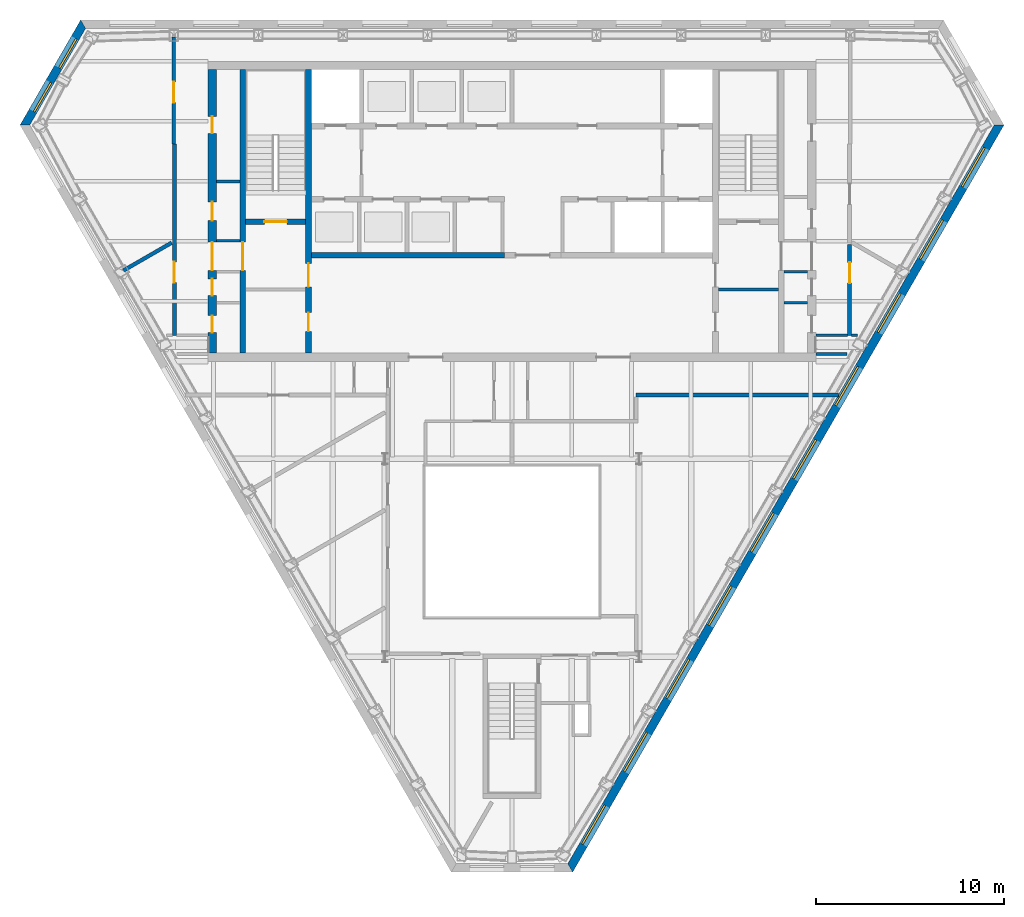
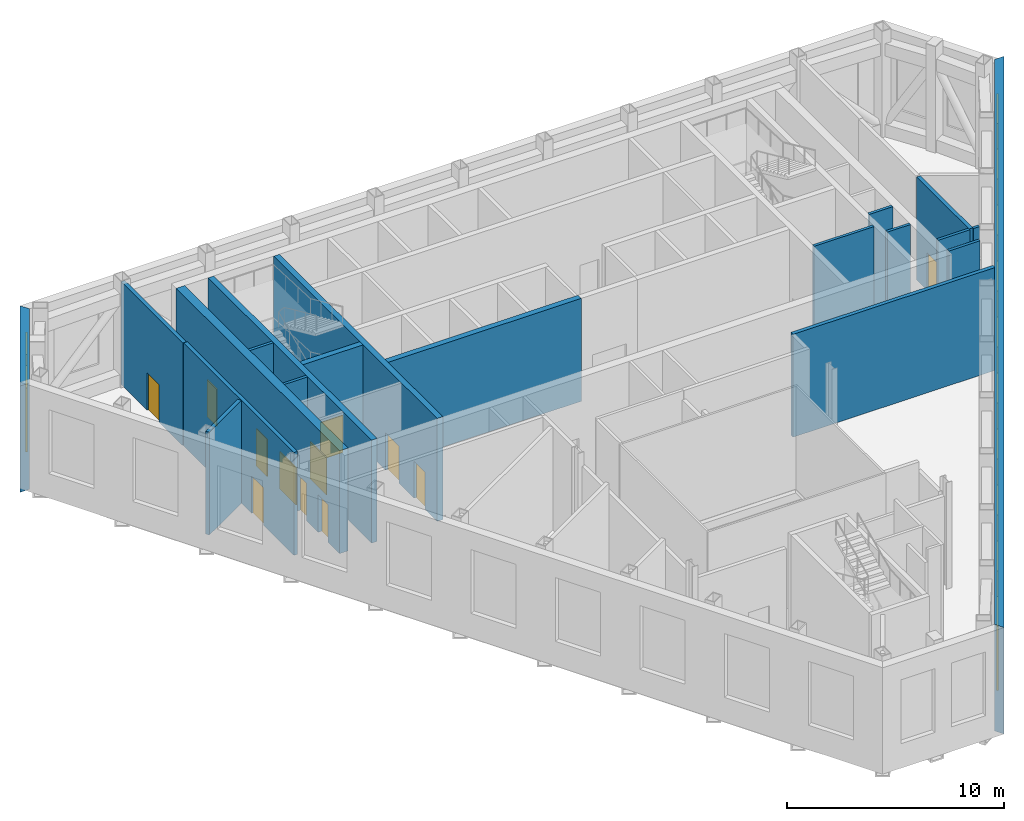
# One storey, part 8 of 14: 20 walls, 12 doors, 12 shading devices, 24 openings.
"""IFC4 building model written with IfcOpenShell, lengths in metres."""

from ifc_helpers import new_model, si_unit, direction, frame, frame_2d, origin, place, context, subcontext, project, spatial, polyline, rectangle, outline, extrude, material, layer, layer_set, type_object, element, fill, save


model = new_model("IFC4")

# Units and contexts
model_context = context("Model", 3, precision=1e-05, world=origin(), true_north=direction((0.0, 1.0)))
body_context = subcontext(model_context, "Body", "Model", "MODEL_VIEW")
ifc_project = project(units=[si_unit("LENGTHUNIT", "METRE"), si_unit("AREAUNIT", "SQUARE_METRE"), si_unit("VOLUMEUNIT", "CUBIC_METRE"), si_unit("PLANEANGLEUNIT", "RADIAN"), si_unit("MASSUNIT", "GRAM", prefix="KILO")], contexts=[model_context])

# Site, building, storey
site_placement = place(None, origin())
site = spatial("IfcSite", under=ifc_project, at=site_placement, CompositionType="ELEMENT")
building_placement = place(site_placement, origin())
building = spatial("IfcBuilding", under=site, at=building_placement, Name="Njiva Tower", CompositionType="ELEMENT")
storey_placement = place(building_placement, frame((0.0, 0.0, 239.4)))
storey = spatial("IfcBuildingStorey", under=building, at=storey_placement, Name="L54", CompositionType="ELEMENT", Elevation=239.4)

# Walls
ifc_material_1 = material(Name="Blockwork", Category="masonry")
ifc_layer_1 = layer(ifc_material_1, 0.15)
ifc_layer_set_1 = layer_set([ifc_layer_1], Name="Blockwork")
wall_type_1 = type_object("IfcWallType", Name="WT1 Compartment partition 150", PredefinedType="PARTITIONING", material=ifc_layer_set_1)
wall_1_placement = place(storey_placement, frame((11.0, 5.825, 0.0), z_axis=(0.0, 0.0, 1.0), x_axis=(1.0, 0.0, 0.0)))
element("IfcWall", 1, at=wall_1_placement, inside=storey, type_object=wall_type_1, Name="Room wall B", PredefinedType="PARTITIONING", context=body_context, shape_type="SweptSolid", body=[
    extrude(rectangle(XDim=3.2, YDim=0.15, at=frame_2d((1.6, 0.0))), origin(), (0.0, 0.0, 1.0), 5.8),
])
wall_2_placement = place(storey_placement, frame((-15.75, 11.5856, 0.0), z_axis=(0.0, 0.0, 1.0), x_axis=(1.0, 0.0, 0.0)))
element("IfcWall", 2, at=wall_2_placement, inside=storey, type_object=wall_type_1, Name="Partition strip W10", PredefinedType="PARTITIONING", context=body_context, shape_type="SweptSolid", body=[
    extrude(rectangle(XDim=1.25, YDim=0.15, at=frame_2d((0.625, 0.0))), origin(), (0.0, 0.0, 1.0), 5.8),
])

# Wall, openings, doors
ifc_material_2 = material(Name="Concrete C40/50", Category="concrete")
ifc_layer_2 = layer(ifc_material_2, 0.3)
ifc_layer_set_2 = layer_set([ifc_layer_2], Name="Concrete C40/50")
wall_type_2 = type_object("IfcWallType", Name="WT10 Stair enclosure wall 300", PredefinedType="SHEAR", material=ifc_layer_set_2)
wall_3_placement = place(storey_placement, frame((-10.85, 2.45, 0.0), z_axis=(0.0, 0.0, 1.0), x_axis=(0.0, 1.0, 0.0)))
wall_3 = element("IfcWall", 3, at=wall_3_placement, inside=storey, type_object=wall_type_2, Name="Stair wall west inner", PredefinedType="SHEAR", context=body_context, shape_type="SweptSolid", body=[
    extrude(rectangle(XDim=15.1, YDim=0.3, at=frame_2d((7.55, 0.0))), origin(), (0.0, 0.0, 1.0), 5.8),
])
opening_1_placement = place(wall_3_placement, frame((3.525, 0.0, 0.0)))
opening_1 = element("IfcOpeningElement", 4, at=opening_1_placement, cuts=wall_3, Name="Opening T4-D916", PredefinedType="OPENING", context=body_context, shape_type="SweptSolid", body=[
    extrude(rectangle(XDim=1.25, YDim=2.1, at=frame_2d((0.625, 1.05))), frame((0.0, 0.16, 0.0), z_axis=(0.0, -1.0, 0.0), x_axis=(1.0, 0.0, 0.0)), (0.0, 0.0, 1.0), 0.32),
])
opening_2_placement = place(wall_3_placement, frame((1.15, 0.0, 0.0)))
opening_2 = element("IfcOpeningElement", 5, at=opening_2_placement, cuts=wall_3, Name="Opening T4-D917", PredefinedType="OPENING", context=body_context, shape_type="SweptSolid", body=[
    extrude(rectangle(XDim=1.0, YDim=2.1, at=frame_2d((0.5, 1.05))), frame((0.0, 0.16, 0.0), z_axis=(0.0, -1.0, 0.0), x_axis=(1.0, 0.0, 0.0)), (0.0, 0.0, 1.0), 0.32),
])
ifc_material_3 = material(Name="Steel door, painted", Category="steel")
door_type_1 = type_object("IfcDoorType", Name="D5 Steel door 1000x2100", OperationType="SINGLE_SWING_LEFT", PredefinedType="DOOR", material=ifc_material_3)
door_1_placement = place(opening_2_placement, origin())
door_1 = element("IfcDoor", 6, at=door_1_placement, inside=storey, type_object=door_type_1, Name="Plant room door", OperationType="SINGLE_SWING_RIGHT", OverallHeight=2.1, OverallWidth=1.0, PredefinedType="DOOR", context=body_context, shape_type="SweptSolid", body=[
    extrude(rectangle(XDim=1.0, YDim=2.1, at=frame_2d((0.5, 1.05))), frame((0.0, 0.025, 0.0), z_axis=(0.0, -1.0, 0.0), x_axis=(1.0, 0.0, 0.0)), (0.0, 0.0, 1.0), 0.05),
])
fill(opening_2, door_1)
ifc_material_4 = material(Name="Glazed steel fire door", Category="steel")
door_type_2 = type_object("IfcDoorType", Name="D8 Vestibule corridor door 1250x2100 glazed", OperationType="SINGLE_SWING_LEFT", PredefinedType="DOOR", material=ifc_material_4)
door_2_placement = place(opening_1_placement, origin())
door_2 = element("IfcDoor", 7, at=door_2_placement, inside=storey, type_object=door_type_2, Name="Stair vestibule corridor door", OperationType="SINGLE_SWING_LEFT", OverallHeight=2.1, OverallWidth=1.25, PredefinedType="DOOR", context=body_context, shape_type="SweptSolid", body=[
    extrude(rectangle(XDim=1.25, YDim=2.1, at=frame_2d((0.625, 1.05))), frame((0.0, 0.025, 0.0), z_axis=(0.0, -1.0, 0.0), x_axis=(1.0, 0.0, 0.0)), (0.0, 0.0, 1.0), 0.05),
])
fill(opening_1, door_2)

# Wall, opening, door
wall_4_placement = place(storey_placement, frame((-14.35, 2.45, 0.0), z_axis=(0.0, 0.0, 1.0), x_axis=(0.0, 1.0, 0.0)))
wall_4 = element("IfcWall", 8, at=wall_4_placement, inside=storey, type_object=wall_type_2, Name="Stair wall west outer", PredefinedType="SHEAR", context=body_context, shape_type="SweptSolid", body=[
    extrude(rectangle(XDim=15.1, YDim=0.3, at=frame_2d((7.55, 0.0))), origin(), (0.0, 0.0, 1.0), 5.8),
])
opening_3_placement = place(wall_4_placement, frame((4.4, 0.0, 0.0)))
opening_3 = element("IfcOpeningElement", 9, at=opening_3_placement, cuts=wall_4, Name="Opening T4-D922", PredefinedType="OPENING", context=body_context, shape_type="SweptSolid", body=[
    extrude(rectangle(XDim=1.5, YDim=2.1, at=frame_2d((0.75, 1.05))), frame((0.0, 0.16, 0.0), z_axis=(0.0, -1.0, 0.0), x_axis=(1.0, 0.0, 0.0)), (0.0, 0.0, 1.0), 0.32),
])
door_type_3 = type_object("IfcDoorType", Name="D10 Exit door double 1500x2100 glazed", OperationType="DOUBLE_DOOR_SINGLE_SWING", PredefinedType="DOOR", material=ifc_material_4)
door_3_placement = place(opening_3_placement, origin())
door_3 = element("IfcDoor", 10, at=door_3_placement, inside=storey, type_object=door_type_3, Name="Stair A passage door", OperationType="DOUBLE_DOOR_SINGLE_SWING", OverallHeight=2.1, OverallWidth=1.5, PredefinedType="DOOR", context=body_context, shape_type="SweptSolid", body=[
    extrude(rectangle(XDim=1.5, YDim=2.1, at=frame_2d((0.75, 1.05))), frame((0.0, 0.025, 0.0), z_axis=(0.0, -1.0, 0.0), x_axis=(1.0, 0.0, 0.0)), (0.0, 0.0, 1.0), 0.05),
])
fill(opening_3, door_3)

wall_5_placement = place(storey_placement, frame((-14.2, 9.45, 0.0), z_axis=(0.0, 0.0, 1.0), x_axis=(1.0, 0.0, 0.0)))
wall_5 = element("IfcWall", 11, at=wall_5_placement, inside=storey, type_object=wall_type_2, Name="Stair A south wall", PredefinedType="SHEAR", context=body_context, shape_type="SweptSolid", body=[
    extrude(rectangle(XDim=3.2, YDim=0.3, at=frame_2d((1.6, 0.0))), origin(), (0.0, 0.0, 1.0), 5.8),
])
opening_4_placement = place(wall_5_placement, frame((1.0, 0.0, 0.0)))
opening_4 = element("IfcOpeningElement", 12, at=opening_4_placement, cuts=wall_5, Name="Opening T4-D915", PredefinedType="OPENING", context=body_context, shape_type="SweptSolid", body=[
    extrude(rectangle(XDim=1.2, YDim=2.1, at=frame_2d((0.6, 1.05))), frame((0.0, 0.16, 0.0), z_axis=(0.0, -1.0, 0.0), x_axis=(1.0, 0.0, 0.0)), (0.0, 0.0, 1.0), 0.32),
])
door_type_4 = type_object("IfcDoorType", Name="D7 Stair vestibule door 1200x2100 glazed", OperationType="SINGLE_SWING_LEFT", PredefinedType="DOOR", material=ifc_material_4)
door_4_placement = place(opening_4_placement, origin())
door_4 = element("IfcDoor", 13, at=door_4_placement, inside=storey, type_object=door_type_4, Name="Stair A door", OperationType="SINGLE_SWING_LEFT", OverallHeight=2.1, OverallWidth=1.2, PredefinedType="DOOR", context=body_context, shape_type="SweptSolid", body=[
    extrude(rectangle(XDim=1.2, YDim=2.1, at=frame_2d((0.6, 1.05))), frame((0.0, 0.025, 0.0), z_axis=(0.0, -1.0, 0.0), x_axis=(1.0, 0.0, 0.0)), (0.0, 0.0, 1.0), 0.05),
])
fill(opening_4, door_4)

# Wall, openings, doors
ifc_material_5 = material(Name="Concrete C60/75", Category="concrete")
ifc_layer_3 = layer(ifc_material_5, 0.45)
ifc_layer_set_3 = layer_set([ifc_layer_3], Name="Concrete C60/75")
wall_type_3 = type_object("IfcWallType", Name="WT12 Core wall 450", PredefinedType="SHEAR", material=ifc_layer_set_3)
wall_6_placement = place(storey_placement, frame((-15.975, 2.45, 0.0), z_axis=(0.0, 0.0, 1.0), x_axis=(0.0, 1.0, 0.0)))
wall_6 = element("IfcWall", 14, at=wall_6_placement, inside=storey, type_object=wall_type_3, Name="Core wall west", PredefinedType="SHEAR", context=body_context, shape_type="SweptSolid", body=[
    extrude(rectangle(XDim=15.1, YDim=0.45, at=frame_2d((7.55, 0.0))), origin(), (0.0, 0.0, 1.0), 5.8),
])
opening_5_placement = place(wall_6_placement, frame((4.4, 0.0, 0.0)))
opening_5 = element("IfcOpeningElement", 15, at=opening_5_placement, cuts=wall_6, Name="Opening T4-D923", PredefinedType="OPENING", context=body_context, shape_type="SweptSolid", body=[
    extrude(rectangle(XDim=1.5, YDim=2.1, at=frame_2d((0.75, 1.05))), frame((0.0, 0.235, 0.0), z_axis=(0.0, -1.0, 0.0), x_axis=(1.0, 0.0, 0.0)), (0.0, 0.0, 1.0), 0.47),
])
opening_6_placement = place(wall_6_placement, frame((1.0857, 0.0, 0.0)))
opening_6 = element("IfcOpeningElement", 16, at=opening_6_placement, cuts=wall_6, Name="Opening T4-D924", PredefinedType="OPENING", context=body_context, shape_type="SweptSolid", body=[
    extrude(rectangle(XDim=0.9, YDim=2.1, at=frame_2d((0.45, 1.05))), frame((0.0, 0.235, 0.0), z_axis=(0.0, -1.0, 0.0), x_axis=(1.0, 0.0, 0.0)), (0.0, 0.0, 1.0), 0.47),
])
opening_7_placement = place(wall_6_placement, frame((3.05, 0.0, 0.0)))
opening_7 = element("IfcOpeningElement", 17, at=opening_7_placement, cuts=wall_6, Name="Opening T4-D925", PredefinedType="OPENING", context=body_context, shape_type="SweptSolid", body=[
    extrude(rectangle(XDim=0.9, YDim=2.1, at=frame_2d((0.45, 1.05))), frame((0.0, 0.235, 0.0), z_axis=(0.0, -1.0, 0.0), x_axis=(1.0, 0.0, 0.0)), (0.0, 0.0, 1.0), 0.47),
])
opening_8_placement = place(wall_6_placement, frame((7.0553, 0.0, 0.0)))
opening_8 = element("IfcOpeningElement", 18, at=opening_8_placement, cuts=wall_6, Name="Opening T4-D926", PredefinedType="OPENING", context=body_context, shape_type="SweptSolid", body=[
    extrude(rectangle(XDim=1.0, YDim=2.1, at=frame_2d((0.5, 1.05))), frame((0.0, 0.235, 0.0), z_axis=(0.0, -1.0, 0.0), x_axis=(1.0, 0.0, 0.0)), (0.0, 0.0, 1.0), 0.47),
])
opening_9_placement = place(wall_6_placement, frame((11.7053, 0.0, 0.0)))
opening_9 = element("IfcOpeningElement", 19, at=opening_9_placement, cuts=wall_6, Name="Opening T4-D927", PredefinedType="OPENING", context=body_context, shape_type="SweptSolid", body=[
    extrude(rectangle(XDim=0.9, YDim=2.1, at=frame_2d((0.45, 1.05))), frame((0.0, 0.235, 0.0), z_axis=(0.0, -1.0, 0.0), x_axis=(1.0, 0.0, 0.0)), (0.0, 0.0, 1.0), 0.47),
])
door_5_placement = place(opening_5_placement, origin())
door_5 = element("IfcDoor", 20, at=door_5_placement, inside=storey, type_object=door_type_3, Name="Stair A corridor door", OperationType="DOUBLE_DOOR_SINGLE_SWING", OverallHeight=2.1, OverallWidth=1.5, PredefinedType="DOOR", context=body_context, shape_type="SweptSolid", body=[
    extrude(rectangle(XDim=1.5, YDim=2.1, at=frame_2d((0.75, 1.05))), frame((0.0, 0.025, 0.0), z_axis=(0.0, -1.0, 0.0), x_axis=(1.0, 0.0, 0.0)), (0.0, 0.0, 1.0), 0.05),
])
fill(opening_5, door_5)
door_type_5 = type_object("IfcDoorType", Name="D4 Riser door 900x2100", OperationType="SINGLE_SWING_LEFT", PredefinedType="DOOR", material=ifc_material_3)
door_6_placement = place(opening_7_placement, origin())
door_6 = element("IfcDoor", 21, at=door_6_placement, inside=storey, type_object=door_type_5, Name="Mechanical riser door", OperationType="SINGLE_SWING_RIGHT", OverallHeight=2.1, OverallWidth=0.9, PredefinedType="DOOR", context=body_context, shape_type="SweptSolid", body=[
    extrude(rectangle(XDim=0.9, YDim=2.1, at=frame_2d((0.45, 1.05))), frame((0.0, 0.025, 0.0), z_axis=(0.0, -1.0, 0.0), x_axis=(1.0, 0.0, 0.0)), (0.0, 0.0, 1.0), 0.05),
])
fill(opening_7, door_6)
door_7_placement = place(opening_8_placement, origin())
door_7 = element("IfcDoor", 22, at=door_7_placement, inside=storey, type_object=door_type_1, Name="Electrical plant room door", OperationType="SINGLE_SWING_LEFT", OverallHeight=2.1, OverallWidth=1.0, PredefinedType="DOOR", context=body_context, shape_type="SweptSolid", body=[
    extrude(rectangle(XDim=1.0, YDim=2.1, at=frame_2d((0.5, 1.05))), frame((0.0, 0.025, 0.0), z_axis=(0.0, -1.0, 0.0), x_axis=(1.0, 0.0, 0.0)), (0.0, 0.0, 1.0), 0.05),
])
fill(opening_8, door_7)
ifc_material_6 = material(Name="Steel fire door, painted", Category="steel")
door_type_6 = type_object("IfcDoorType", Name="D6 Fire-rated door 900x2100", OperationType="SINGLE_SWING_LEFT", PredefinedType="DOOR", material=ifc_material_6)
door_8_placement = place(opening_6_placement, origin())
door_8 = element("IfcDoor", 23, at=door_8_placement, inside=storey, type_object=door_type_6, Name="Cable plant store door", OperationType="SINGLE_SWING_RIGHT", OverallHeight=2.1, OverallWidth=0.9, PredefinedType="DOOR", context=body_context, shape_type="SweptSolid", body=[
    extrude(rectangle(XDim=0.9, YDim=2.1, at=frame_2d((0.45, 1.05))), frame((0.0, 0.025, 0.0), z_axis=(0.0, -1.0, 0.0), x_axis=(1.0, 0.0, 0.0)), (0.0, 0.0, 1.0), 0.05),
])
fill(opening_6, door_8)
door_9_placement = place(opening_9_placement, origin())
door_9 = element("IfcDoor", 24, at=door_9_placement, inside=storey, type_object=door_type_6, Name="Cable plant store door", OperationType="SINGLE_SWING_LEFT", OverallHeight=2.1, OverallWidth=0.9, PredefinedType="DOOR", context=body_context, shape_type="SweptSolid", body=[
    extrude(rectangle(XDim=0.9, YDim=2.1, at=frame_2d((0.45, 1.05))), frame((0.0, 0.025, 0.0), z_axis=(0.0, -1.0, 0.0), x_axis=(1.0, 0.0, 0.0)), (0.0, 0.0, 1.0), 0.05),
])
fill(opening_9, door_9)

# Walls
ifc_material_7 = material(Name="Gypsum board on steel studs", Category="gypsum")
ifc_layer_4 = layer(ifc_material_7, 0.15)
ifc_layer_set_4 = layer_set([ifc_layer_4], Name="Gypsum board on steel studs")
wall_type_4 = type_object("IfcWallType", Name="WT21 Compartment wall 150", PredefinedType="PARTITIONING", material=ifc_layer_set_4)
wall_7_placement = place(storey_placement, frame((16.2, 2.386, 0.0), z_axis=(0.0, 0.0, 1.0), x_axis=(1.0, 0.0, 0.0)))
element("IfcWall", 25, at=wall_7_placement, inside=storey, type_object=wall_type_4, Name="Partition T4-P027", PredefinedType="PARTITIONING", context=body_context, shape_type="SweptSolid", body=[
    extrude(rectangle(XDim=1.657, YDim=0.15, at=frame_2d((0.8285, 0.0))), origin(), (0.0, 0.0, 1.0), 5.8),
])
wall_8_placement = place(storey_placement, frame((16.2, 3.386, 0.0), z_axis=(0.0, 0.0, 1.0), x_axis=(1.0, 0.0, 0.0)))
element("IfcWall", 26, at=wall_8_placement, inside=storey, type_object=wall_type_4, Name="Partition T4-P028", PredefinedType="PARTITIONING", context=body_context, shape_type="SweptSolid", body=[
    extrude(rectangle(XDim=1.7, YDim=0.15, at=frame_2d((0.85, 0.0))), origin(), (0.0, 0.0, 1.0), 5.8),
])
wall_9_placement = place(storey_placement, frame((18.1, 3.386, 0.0), z_axis=(0.0, 0.0, 1.0), x_axis=(1.0, 0.0, 0.0)))
element("IfcWall", 27, at=wall_9_placement, inside=storey, type_object=wall_type_4, Name="Partition T4-P032", PredefinedType="PARTITIONING", context=body_context, shape_type="SweptSolid", body=[
    extrude(rectangle(XDim=0.334, YDim=0.15, at=frame_2d((0.167, 0.0))), origin(), (0.0, 0.0, 1.0), 5.8),
])
ifc_layer_5 = layer(ifc_material_1, 0.2)
ifc_layer_set_5 = layer_set([ifc_layer_5], Name="Blockwork")
wall_type_5 = type_object("IfcWallType", Name="WT22 Plant room wall 200", PredefinedType="PARTITIONING", material=ifc_layer_set_5)
wall_10_placement = place(storey_placement, frame((-20.718, 6.841, 0.0), z_axis=(0.0, 0.0, 1.0), x_axis=(0.866118198353, 0.499839240638, 0.0)))
element("IfcWall", 28, at=wall_10_placement, inside=storey, type_object=wall_type_5, Name="Partition T4-P001", PredefinedType="PARTITIONING", context=body_context, shape_type="SweptSolid", body=[
    extrude(rectangle(XDim=2.965, YDim=0.2, at=frame_2d((1.4825, 0.0))), origin(), (0.0, 0.0, 1.0), 5.8),
])

# Wall, opening, door
wall_11_placement = place(storey_placement, frame((-18.031, 13.596, 0.0), z_axis=(0.0, 0.0, 1.0), x_axis=(0.0, 1.0, 0.0)))
wall_11 = element("IfcWall", 29, at=wall_11_placement, inside=storey, type_object=wall_type_5, Name="Partition T4-P003", PredefinedType="PARTITIONING", context=body_context, shape_type="SweptSolid", body=[
    extrude(rectangle(XDim=5.704, YDim=0.2, at=frame_2d((2.852, 0.0))), origin(), (0.0, 0.0, 1.0), 5.8),
])
opening_10_placement = place(wall_11_placement, frame((2.202, 0.0, 0.0)))
opening_10 = element("IfcOpeningElement", 30, at=opening_10_placement, cuts=wall_11, Name="Opening T4-D001", PredefinedType="OPENING", context=body_context, shape_type="SweptSolid", body=[
    extrude(rectangle(XDim=1.1, YDim=2.1, at=frame_2d((0.55, 1.05))), frame((0.0, 0.11, 0.0), z_axis=(0.0, -1.0, 0.0), x_axis=(1.0, 0.0, 0.0)), (0.0, 0.0, 1.0), 0.22),
])
ifc_material_8 = material(Name="Steel door set", Category="steel")
door_type_7 = type_object("IfcDoorType", Name="D34 Plant door 1100x2100", OperationType="SINGLE_SWING_LEFT", PredefinedType="DOOR", material=ifc_material_8)
door_10_placement = place(opening_10_placement, origin())
door_10 = element("IfcDoor", 31, at=door_10_placement, inside=storey, type_object=door_type_7, Name="Door T4-D001", OperationType="SINGLE_SWING_RIGHT", OverallHeight=2.1, OverallWidth=1.1, PredefinedType="DOOR", context=body_context, shape_type="SweptSolid", body=[
    extrude(rectangle(XDim=1.1, YDim=2.1, at=frame_2d((0.55, 1.05))), frame((0.0, 0.025, 0.0), z_axis=(0.0, -1.0, 0.0), x_axis=(1.0, 0.0, 0.0)), (0.0, 0.0, 1.0), 0.05),
])
fill(opening_10, door_10)

wall_12_placement = place(storey_placement, frame((-18.0, 3.386, 0.0), z_axis=(0.0, 0.0, 1.0), x_axis=(0.0, 1.0, 0.0)))
wall_12 = element("IfcWall", 32, at=wall_12_placement, inside=storey, type_object=wall_type_5, Name="Partition T4-P004", PredefinedType="PARTITIONING", context=body_context, shape_type="SweptSolid", body=[
    extrude(rectangle(XDim=10.191, YDim=0.2, at=frame_2d((5.0955, 0.0))), origin(), (0.0, 0.0, 1.0), 5.8),
])
opening_11_placement = place(wall_12_placement, frame((2.816, 0.0, 0.0)))
opening_11 = element("IfcOpeningElement", 33, at=opening_11_placement, cuts=wall_12, Name="Opening T4-D002", PredefinedType="OPENING", context=body_context, shape_type="SweptSolid", body=[
    extrude(rectangle(XDim=1.1, YDim=2.1, at=frame_2d((0.55, 1.05))), frame((0.0, 0.11, 0.0), z_axis=(0.0, -1.0, 0.0), x_axis=(1.0, 0.0, 0.0)), (0.0, 0.0, 1.0), 0.22),
])
door_11_placement = place(opening_11_placement, origin())
door_11 = element("IfcDoor", 34, at=door_11_placement, inside=storey, type_object=door_type_7, Name="Door T4-D002", OperationType="SINGLE_SWING_RIGHT", OverallHeight=2.1, OverallWidth=1.1, PredefinedType="DOOR", context=body_context, shape_type="SweptSolid", body=[
    extrude(rectangle(XDim=1.1, YDim=2.1, at=frame_2d((0.55, 1.05))), frame((0.0, 0.025, 0.0), z_axis=(0.0, -1.0, 0.0), x_axis=(1.0, 0.0, 0.0)), (0.0, 0.0, 1.0), 0.05),
])
fill(opening_11, door_11)

# Wall
wall_13_placement = place(storey_placement, frame((6.62, 0.2, 0.0), z_axis=(0.0, 0.0, 1.0), x_axis=(1.0, 0.0, 0.0)))
element("IfcWall", 35, at=wall_13_placement, inside=storey, type_object=wall_type_5, Name="Partition T4-P026", PredefinedType="PARTITIONING", context=body_context, shape_type="SweptSolid", body=[
    extrude(rectangle(XDim=10.783, YDim=0.2, at=frame_2d((5.3915, 0.0))), origin(), (0.0, 0.0, 1.0), 5.8),
])

# Wall, opening, door
wall_14_placement = place(storey_placement, frame((18.0, 3.386, 0.0), z_axis=(0.0, 0.0, 1.0), x_axis=(0.0, 1.0, 0.0)))
wall_14 = element("IfcWall", 36, at=wall_14_placement, inside=storey, type_object=wall_type_5, Name="Partition T4-P030", PredefinedType="PARTITIONING", context=body_context, shape_type="SweptSolid", body=[
    extrude(rectangle(XDim=4.85, YDim=0.2, at=frame_2d((2.425, 0.0))), origin(), (0.0, 0.0, 1.0), 5.8),
])
opening_12_placement = place(wall_14_placement, frame((2.789, 0.0, 0.0)))
opening_12 = element("IfcOpeningElement", 37, at=opening_12_placement, cuts=wall_14, Name="Opening T4-D014", PredefinedType="OPENING", context=body_context, shape_type="SweptSolid", body=[
    extrude(rectangle(XDim=1.1, YDim=2.1, at=frame_2d((0.55, 1.05))), frame((0.0, 0.11, 0.0), z_axis=(0.0, -1.0, 0.0), x_axis=(1.0, 0.0, 0.0)), (0.0, 0.0, 1.0), 0.22),
])
door_12_placement = place(opening_12_placement, origin())
door_12 = element("IfcDoor", 38, at=door_12_placement, inside=storey, type_object=door_type_7, Name="Door T4-D014", OperationType="SINGLE_SWING_RIGHT", OverallHeight=2.1, OverallWidth=1.1, PredefinedType="DOOR", context=body_context, shape_type="SweptSolid", body=[
    extrude(rectangle(XDim=1.1, YDim=2.1, at=frame_2d((0.55, 1.05))), frame((0.0, 0.025, 0.0), z_axis=(0.0, -1.0, 0.0), x_axis=(1.0, 0.0, 0.0)), (0.0, 0.0, 1.0), 0.05),
])
fill(opening_12, door_12)

# Walls
ifc_layer_6 = layer(ifc_material_1, 0.15)
ifc_layer_set_6 = layer_set([ifc_layer_6], Name="Blockwork")
wall_type_6 = type_object("IfcWallType", Name="WT3 Riser partition 150", PredefinedType="PARTITIONING", material=ifc_layer_set_6)
wall_15_placement = place(storey_placement, frame((14.5, 5.125, 0.0), z_axis=(0.0, 0.0, 1.0), x_axis=(1.0, 0.0, 0.0)))
element("IfcWall", 39, at=wall_15_placement, inside=storey, type_object=wall_type_6, Name="Partition strip E00", PredefinedType="PARTITIONING", context=body_context, shape_type="SweptSolid", body=[
    extrude(rectangle(XDim=1.25, YDim=0.15, at=frame_2d((0.625, 0.0))), origin(), (0.0, 0.0, 1.0), 5.8),
])
ifc_layer_7 = layer(ifc_material_1, 0.15)
ifc_layer_set_7 = layer_set([ifc_layer_7], Name="Blockwork")
wall_type_7 = type_object("IfcWallType", Name="WT4 Stair partition 150", PredefinedType="PARTITIONING", material=ifc_layer_set_7)
for number, where, z_axis, x_axis, name in (
    (40, (-15.75, 8.425, 0.0), (0.0, 0.0, 1.0), (1.0, 0.0, 0.0), "Stair A exit passage wall north"),
    (41, (14.5, 6.775, 0.0), (0.0, 0.0, 1.0), (1.0, 0.0, 0.0), "Stair B exit passage wall south"),
):
    element("IfcWall", number, at=place(storey_placement, frame(where, z_axis=z_axis, x_axis=x_axis)), inside=storey, type_object=wall_type_7, Name=name, PredefinedType="PARTITIONING", context=body_context, shape_type="SweptSolid", body=[
        extrude(rectangle(XDim=1.25, YDim=0.15, at=frame_2d((0.625, 0.0))), origin(), (0.0, 0.0, 1.0), 5.8),
    ])
ifc_layer_8 = layer(ifc_material_2, 0.3)
ifc_layer_set_8 = layer_set([ifc_layer_8], Name="Concrete C40/50")
wall_type_8 = type_object("IfcWallType", Name="WT7 Lift shaft wall 300", PredefinedType="SHEAR", material=ifc_layer_set_8)
wall_16_placement = place(storey_placement, frame((-10.7, 7.65, 0.0), z_axis=(0.0, 0.0, 1.0), x_axis=(1.0, 0.0, 0.0)))
element("IfcWall", 42, at=wall_16_placement, inside=storey, type_object=wall_type_8, Name="Shaft wall south row back W", PredefinedType="SHEAR", context=body_context, shape_type="SweptSolid", body=[
    extrude(rectangle(XDim=10.3, YDim=0.3, at=frame_2d((5.15, 0.0))), origin(), (0.0, 0.0, 1.0), 5.8),
])

# Wall, openings, shading devices
ifc_material_9 = material(Name="Brick masonry, buff", Category="masonry")
ifc_layer_9 = layer(ifc_material_9, 0.45)
ifc_layer_set_9 = layer_set([ifc_layer_9], Name="Brick masonry, buff")
wall_type_9 = type_object("IfcWallType", Name="WT94 Brick pier and spandrel wall 450, buff", PredefinedType="SOLIDWALL", material=ifc_layer_set_9)
wall_17_placement = place(storey_placement, frame((-22.8701, 19.975, -0.4), z_axis=(0.0, 0.0, 1.0), x_axis=(-0.499999369857, -0.866025767597, 0.0)))
wall_17 = element("IfcWall", 43, at=wall_17_placement, inside=storey, type_object=wall_type_9, Name="Facade wall NW", PredefinedType="SOLIDWALL", context=body_context, shape_type="SweptSolid", body=[
    extrude(outline(polyline([(-0.1299, -0.225), (6.3401, -0.225), (6.0803, 0.225), (0.1299, 0.225), (-0.1299, -0.225)])), origin(), (0.0, 0.0, 1.0), 6.0),
])
opening_13_placement = place(wall_17_placement, frame((0.8569, 0.0, 1.6)))
opening_13 = element("IfcOpeningElement", 44, at=opening_13_placement, cuts=wall_17, Name="Opening T4-LV11", PredefinedType="OPENING", context=body_context, shape_type="SweptSolid", body=[
    extrude(rectangle(XDim=1.8, YDim=3.6, at=frame_2d((0.9, 1.8))), frame((0.0, 0.235, 0.0), z_axis=(0.0, -1.0, 0.0), x_axis=(1.0, 0.0, 0.0)), (0.0, 0.0, 1.0), 0.47),
])
opening_14_placement = place(wall_17_placement, frame((3.5532, 0.0, 1.6)))
opening_14 = element("IfcOpeningElement", 45, at=opening_14_placement, cuts=wall_17, Name="Opening T4-LV12", PredefinedType="OPENING", context=body_context, shape_type="SweptSolid", body=[
    extrude(rectangle(XDim=1.8, YDim=3.6, at=frame_2d((0.9, 1.8))), frame((0.0, 0.235, 0.0), z_axis=(0.0, -1.0, 0.0), x_axis=(1.0, 0.0, 0.0)), (0.0, 0.0, 1.0), 0.47),
])
ifc_material_10 = material(Name="Aluminium louvre blades", Category="aluminium")
shading_device_type_1 = type_object("IfcShadingDeviceType", Name="LV2 Plant louvre 1800x3600", PredefinedType="JALOUSIE", material=ifc_material_10)
shading_device_1_placement = place(opening_13_placement, origin())
shading_device_1 = element("IfcShadingDevice", 46, at=shading_device_1_placement, inside=storey, type_object=shading_device_type_1, Name="Plant louvre", PredefinedType="JALOUSIE", context=body_context, shape_type="SweptSolid", body=[
    extrude(rectangle(XDim=1.8, YDim=3.6, at=frame_2d((0.9, 1.8))), frame((0.0, 0.125, 0.0), z_axis=(0.0, -1.0, 0.0), x_axis=(1.0, 0.0, 0.0)), (0.0, 0.0, 1.0), 0.1),
])
fill(opening_13, shading_device_1)
shading_device_2_placement = place(opening_14_placement, origin())
shading_device_2 = element("IfcShadingDevice", 47, at=shading_device_2_placement, inside=storey, type_object=shading_device_type_1, Name="Plant louvre", PredefinedType="JALOUSIE", context=body_context, shape_type="SweptSolid", body=[
    extrude(rectangle(XDim=1.8, YDim=3.6, at=frame_2d((0.9, 1.8))), frame((0.0, 0.125, 0.0), z_axis=(0.0, -1.0, 0.0), x_axis=(1.0, 0.0, 0.0)), (0.0, 0.0, 1.0), 0.1),
])
fill(opening_14, shading_device_2)

wall_18_placement = place(storey_placement, frame((3.1051, -25.0154, -0.18), z_axis=(0.0, 0.0, 1.0), x_axis=(0.499999764979, 0.866025539474, 0.0)))
wall_18 = element("IfcWall", 48, at=wall_18_placement, inside=storey, type_object=wall_type_9, Name="Facade wall SE", PredefinedType="SOLIDWALL", context=body_context, shape_type="SweptSolid", body=[
    extrude(outline(polyline([(-0.1299, -0.225), (45.8701, -0.225), (45.6103, 0.225), (0.1299, 0.225), (-0.1299, -0.225)])), origin(), (0.0, 0.0, 1.0), 6.0),
])
opening_15_placement = place(wall_18_placement, frame((1.4242, 0.0, 1.38)))
opening_15 = element("IfcOpeningElement", 49, at=opening_15_placement, cuts=wall_18, Name="Opening T4-LV25", PredefinedType="OPENING", context=body_context, shape_type="SweptSolid", body=[
    extrude(rectangle(XDim=2.4, YDim=3.6, at=frame_2d((1.2, 1.8))), frame((0.0, 0.235, 0.0), z_axis=(0.0, -1.0, 0.0), x_axis=(1.0, 0.0, 0.0)), (0.0, 0.0, 1.0), 0.47),
])
opening_16_placement = place(wall_18_placement, frame((5.8934, 0.0, 1.38)))
opening_16 = element("IfcOpeningElement", 50, at=opening_16_placement, cuts=wall_18, Name="Opening T4-LV26", PredefinedType="OPENING", context=body_context, shape_type="SweptSolid", body=[
    extrude(rectangle(XDim=2.4, YDim=3.6, at=frame_2d((1.2, 1.8))), frame((0.0, 0.235, 0.0), z_axis=(0.0, -1.0, 0.0), x_axis=(1.0, 0.0, 0.0)), (0.0, 0.0, 1.0), 0.47),
])
opening_17_placement = place(wall_18_placement, frame((10.401, 0.0, 1.38)))
opening_17 = element("IfcOpeningElement", 51, at=opening_17_placement, cuts=wall_18, Name="Opening T4-LV27", PredefinedType="OPENING", context=body_context, shape_type="SweptSolid", body=[
    extrude(rectangle(XDim=2.4, YDim=3.6, at=frame_2d((1.2, 1.8))), frame((0.0, 0.235, 0.0), z_axis=(0.0, -1.0, 0.0), x_axis=(1.0, 0.0, 0.0)), (0.0, 0.0, 1.0), 0.47),
])
opening_18_placement = place(wall_18_placement, frame((14.9087, 0.0, 1.38)))
opening_18 = element("IfcOpeningElement", 52, at=opening_18_placement, cuts=wall_18, Name="Opening T4-LV28", PredefinedType="OPENING", context=body_context, shape_type="SweptSolid", body=[
    extrude(rectangle(XDim=2.4, YDim=3.6, at=frame_2d((1.2, 1.8))), frame((0.0, 0.235, 0.0), z_axis=(0.0, -1.0, 0.0), x_axis=(1.0, 0.0, 0.0)), (0.0, 0.0, 1.0), 0.47),
])
opening_19_placement = place(wall_18_placement, frame((19.4163, 0.0, 1.38)))
opening_19 = element("IfcOpeningElement", 53, at=opening_19_placement, cuts=wall_18, Name="Opening T4-LV29", PredefinedType="OPENING", context=body_context, shape_type="SweptSolid", body=[
    extrude(rectangle(XDim=2.4, YDim=3.6, at=frame_2d((1.2, 1.8))), frame((0.0, 0.235, 0.0), z_axis=(0.0, -1.0, 0.0), x_axis=(1.0, 0.0, 0.0)), (0.0, 0.0, 1.0), 0.47),
])
opening_20_placement = place(wall_18_placement, frame((23.9239, 0.0, 1.38)))
opening_20 = element("IfcOpeningElement", 54, at=opening_20_placement, cuts=wall_18, Name="Opening T4-LV30", PredefinedType="OPENING", context=body_context, shape_type="SweptSolid", body=[
    extrude(rectangle(XDim=2.4, YDim=3.6, at=frame_2d((1.2, 1.8))), frame((0.0, 0.235, 0.0), z_axis=(0.0, -1.0, 0.0), x_axis=(1.0, 0.0, 0.0)), (0.0, 0.0, 1.0), 0.47),
])
opening_21_placement = place(wall_18_placement, frame((28.4315, 0.0, 1.38)))
opening_21 = element("IfcOpeningElement", 55, at=opening_21_placement, cuts=wall_18, Name="Opening T4-LV31", PredefinedType="OPENING", context=body_context, shape_type="SweptSolid", body=[
    extrude(rectangle(XDim=2.4, YDim=3.6, at=frame_2d((1.2, 1.8))), frame((0.0, 0.235, 0.0), z_axis=(0.0, -1.0, 0.0), x_axis=(1.0, 0.0, 0.0)), (0.0, 0.0, 1.0), 0.47),
])
opening_22_placement = place(wall_18_placement, frame((32.9391, 0.0, 1.38)))
opening_22 = element("IfcOpeningElement", 56, at=opening_22_placement, cuts=wall_18, Name="Opening T4-LV32", PredefinedType="OPENING", context=body_context, shape_type="SweptSolid", body=[
    extrude(rectangle(XDim=2.4, YDim=3.6, at=frame_2d((1.2, 1.8))), frame((0.0, 0.235, 0.0), z_axis=(0.0, -1.0, 0.0), x_axis=(1.0, 0.0, 0.0)), (0.0, 0.0, 1.0), 0.47),
])
opening_23_placement = place(wall_18_placement, frame((37.4468, 0.0, 1.38)))
opening_23 = element("IfcOpeningElement", 57, at=opening_23_placement, cuts=wall_18, Name="Opening T4-LV33", PredefinedType="OPENING", context=body_context, shape_type="SweptSolid", body=[
    extrude(rectangle(XDim=2.4, YDim=3.6, at=frame_2d((1.2, 1.8))), frame((0.0, 0.235, 0.0), z_axis=(0.0, -1.0, 0.0), x_axis=(1.0, 0.0, 0.0)), (0.0, 0.0, 1.0), 0.47),
])
opening_24_placement = place(wall_18_placement, frame((41.916, 0.0, 1.38)))
opening_24 = element("IfcOpeningElement", 58, at=opening_24_placement, cuts=wall_18, Name="Opening T4-LV34", PredefinedType="OPENING", context=body_context, shape_type="SweptSolid", body=[
    extrude(rectangle(XDim=2.4, YDim=3.6, at=frame_2d((1.2, 1.8))), frame((0.0, 0.235, 0.0), z_axis=(0.0, -1.0, 0.0), x_axis=(1.0, 0.0, 0.0)), (0.0, 0.0, 1.0), 0.47),
])
shading_device_type_2 = type_object("IfcShadingDeviceType", Name="LV1 Plant louvre 2400x3600", PredefinedType="JALOUSIE", material=ifc_material_10)
shading_device_3_placement = place(opening_15_placement, origin())
shading_device_3 = element("IfcShadingDevice", 59, at=shading_device_3_placement, inside=storey, type_object=shading_device_type_2, Name="Plant louvre", PredefinedType="JALOUSIE", context=body_context, shape_type="SweptSolid", body=[
    extrude(rectangle(XDim=2.4, YDim=3.6, at=frame_2d((1.2, 1.8))), frame((0.0, 0.125, 0.0), z_axis=(0.0, -1.0, 0.0), x_axis=(1.0, 0.0, 0.0)), (0.0, 0.0, 1.0), 0.1),
])
fill(opening_15, shading_device_3)
shading_device_4_placement = place(opening_16_placement, origin())
shading_device_4 = element("IfcShadingDevice", 60, at=shading_device_4_placement, inside=storey, type_object=shading_device_type_2, Name="Plant louvre", PredefinedType="JALOUSIE", context=body_context, shape_type="SweptSolid", body=[
    extrude(rectangle(XDim=2.4, YDim=3.6, at=frame_2d((1.2, 1.8))), frame((0.0, 0.125, 0.0), z_axis=(0.0, -1.0, 0.0), x_axis=(1.0, 0.0, 0.0)), (0.0, 0.0, 1.0), 0.1),
])
fill(opening_16, shading_device_4)
shading_device_5_placement = place(opening_17_placement, origin())
shading_device_5 = element("IfcShadingDevice", 61, at=shading_device_5_placement, inside=storey, type_object=shading_device_type_2, Name="Plant louvre", PredefinedType="JALOUSIE", context=body_context, shape_type="SweptSolid", body=[
    extrude(rectangle(XDim=2.4, YDim=3.6, at=frame_2d((1.2, 1.8))), frame((0.0, 0.125, 0.0), z_axis=(0.0, -1.0, 0.0), x_axis=(1.0, 0.0, 0.0)), (0.0, 0.0, 1.0), 0.1),
])
fill(opening_17, shading_device_5)
shading_device_6_placement = place(opening_18_placement, origin())
shading_device_6 = element("IfcShadingDevice", 62, at=shading_device_6_placement, inside=storey, type_object=shading_device_type_2, Name="Plant louvre", PredefinedType="JALOUSIE", context=body_context, shape_type="SweptSolid", body=[
    extrude(rectangle(XDim=2.4, YDim=3.6, at=frame_2d((1.2, 1.8))), frame((0.0, 0.125, 0.0), z_axis=(0.0, -1.0, 0.0), x_axis=(1.0, 0.0, 0.0)), (0.0, 0.0, 1.0), 0.1),
])
fill(opening_18, shading_device_6)
shading_device_7_placement = place(opening_19_placement, origin())
shading_device_7 = element("IfcShadingDevice", 63, at=shading_device_7_placement, inside=storey, type_object=shading_device_type_2, Name="Plant louvre", PredefinedType="JALOUSIE", context=body_context, shape_type="SweptSolid", body=[
    extrude(rectangle(XDim=2.4, YDim=3.6, at=frame_2d((1.2, 1.8))), frame((0.0, 0.125, 0.0), z_axis=(0.0, -1.0, 0.0), x_axis=(1.0, 0.0, 0.0)), (0.0, 0.0, 1.0), 0.1),
])
fill(opening_19, shading_device_7)
shading_device_8_placement = place(opening_20_placement, origin())
shading_device_8 = element("IfcShadingDevice", 64, at=shading_device_8_placement, inside=storey, type_object=shading_device_type_2, Name="Plant louvre", PredefinedType="JALOUSIE", context=body_context, shape_type="SweptSolid", body=[
    extrude(rectangle(XDim=2.4, YDim=3.6, at=frame_2d((1.2, 1.8))), frame((0.0, 0.125, 0.0), z_axis=(0.0, -1.0, 0.0), x_axis=(1.0, 0.0, 0.0)), (0.0, 0.0, 1.0), 0.1),
])
fill(opening_20, shading_device_8)
shading_device_9_placement = place(opening_21_placement, origin())
shading_device_9 = element("IfcShadingDevice", 65, at=shading_device_9_placement, inside=storey, type_object=shading_device_type_2, Name="Plant louvre", PredefinedType="JALOUSIE", context=body_context, shape_type="SweptSolid", body=[
    extrude(rectangle(XDim=2.4, YDim=3.6, at=frame_2d((1.2, 1.8))), frame((0.0, 0.125, 0.0), z_axis=(0.0, -1.0, 0.0), x_axis=(1.0, 0.0, 0.0)), (0.0, 0.0, 1.0), 0.1),
])
fill(opening_21, shading_device_9)
shading_device_10_placement = place(opening_22_placement, origin())
shading_device_10 = element("IfcShadingDevice", 66, at=shading_device_10_placement, inside=storey, type_object=shading_device_type_2, Name="Plant louvre", PredefinedType="JALOUSIE", context=body_context, shape_type="SweptSolid", body=[
    extrude(rectangle(XDim=2.4, YDim=3.6, at=frame_2d((1.2, 1.8))), frame((0.0, 0.125, 0.0), z_axis=(0.0, -1.0, 0.0), x_axis=(1.0, 0.0, 0.0)), (0.0, 0.0, 1.0), 0.1),
])
fill(opening_22, shading_device_10)
shading_device_11_placement = place(opening_23_placement, origin())
shading_device_11 = element("IfcShadingDevice", 67, at=shading_device_11_placement, inside=storey, type_object=shading_device_type_2, Name="Plant louvre", PredefinedType="JALOUSIE", context=body_context, shape_type="SweptSolid", body=[
    extrude(rectangle(XDim=2.4, YDim=3.6, at=frame_2d((1.2, 1.8))), frame((0.0, 0.125, 0.0), z_axis=(0.0, -1.0, 0.0), x_axis=(1.0, 0.0, 0.0)), (0.0, 0.0, 1.0), 0.1),
])
fill(opening_23, shading_device_11)
shading_device_12_placement = place(opening_24_placement, origin())
shading_device_12 = element("IfcShadingDevice", 68, at=shading_device_12_placement, inside=storey, type_object=shading_device_type_2, Name="Plant louvre", PredefinedType="JALOUSIE", context=body_context, shape_type="SweptSolid", body=[
    extrude(rectangle(XDim=2.4, YDim=3.6, at=frame_2d((1.2, 1.8))), frame((0.0, 0.125, 0.0), z_axis=(0.0, -1.0, 0.0), x_axis=(1.0, 0.0, 0.0)), (0.0, 0.0, 1.0), 0.1),
])
fill(opening_24, shading_device_12)

save(model, "model.ifc")
